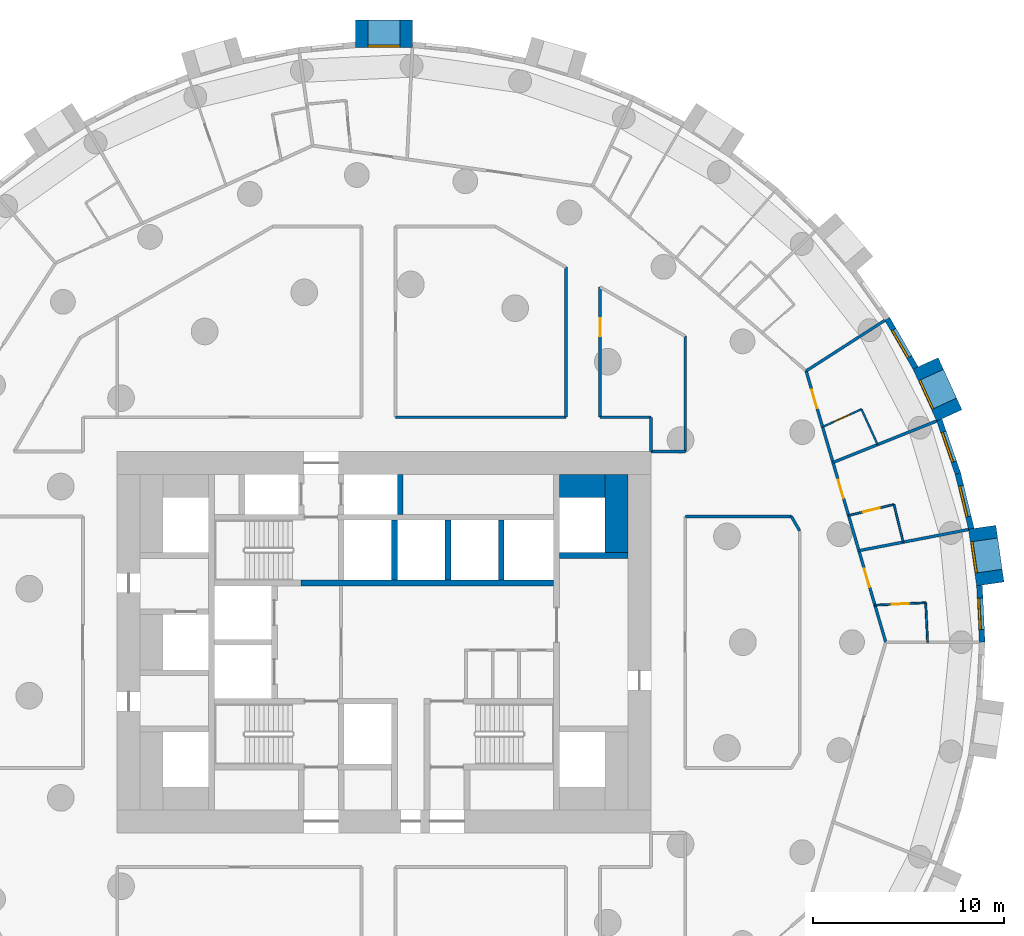
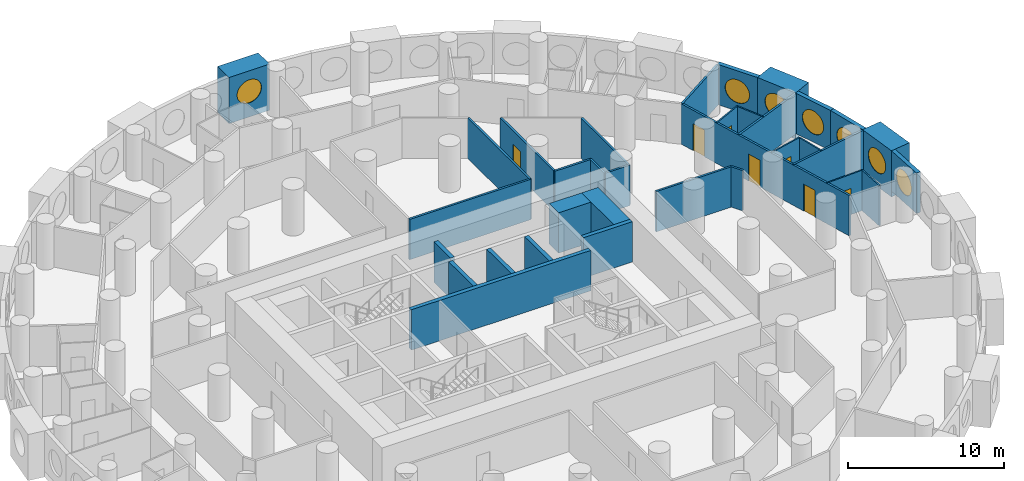
# One storey, part 9 of 12: 34 walls, 7 doors, 7 windows, 14 openings.
"""IFC4 building model written with IfcOpenShell, lengths in metres."""

from ifc_helpers import new_model, si_unit, direction, frame, frame_2d, origin, origin_2d, place, context, subcontext, project, spatial, rectangle, circle, extrude, material, layer, layer_set, type_object, element, fill, save


model = new_model("IFC4")

# Units and contexts
model_context = context("Model", 3, precision=1e-05, world=origin(), true_north=direction((0.0, 1.0)))
body_context = subcontext(model_context, "Body", "Model", "MODEL_VIEW")
ifc_project = project(units=[si_unit("LENGTHUNIT", "METRE"), si_unit("AREAUNIT", "SQUARE_METRE"), si_unit("VOLUMEUNIT", "CUBIC_METRE"), si_unit("PLANEANGLEUNIT", "RADIAN"), si_unit("MASSUNIT", "GRAM", prefix="KILO")], contexts=[model_context])

# Site, building, storey
site_placement = place(None, origin())
site = spatial("IfcSite", under=ifc_project, at=site_placement, CompositionType="ELEMENT")
building_placement = place(site_placement, origin())
building = spatial("IfcBuilding", under=site, at=building_placement, Name="Tracery Tower", CompositionType="ELEMENT")
storey_placement = place(building_placement, frame((0.0, 0.0, 103.800048828125)))
storey = spatial("IfcBuildingStorey", under=building, at=storey_placement, Name="L26", CompositionType="ELEMENT", Elevation=103.800048828125)

# Walls
ifc_material_1 = material(Name="Concrete C60/75", Category="concrete")
ifc_layer_1 = layer(ifc_material_1, 1.199951171875)
ifc_layer_set_1 = layer_set([ifc_layer_1], Name="Core strip wall 1200 C60")
wall_type_1 = type_object("IfcWallType", Name="Core strip wall 1200 C60", PredefinedType="SOLIDWALL", material=ifc_layer_set_1)
wall_1_placement = place(storey_placement, frame((12.199951171875, 4.699951171875, 0.0), z_axis=(0.0, 0.0, 1.0), x_axis=(0.0, 1.0, 0.0)))
element("IfcWall", 1, at=wall_1_placement, inside=storey, type_object=wall_type_1, Name="L26 wing strip +1 4.55", PredefinedType="SOLIDWALL", context=body_context, shape_type="SweptSolid", body=[
    extrude(rectangle(XDim=4.10009765625, YDim=1.199951171875, at=frame_2d((2.050048828125, 0.0))), origin(), (0.0, 0.0, 1.0), 3.14990234375),
])
wall_2_placement = place(storey_placement, frame((9.199951171875, 8.199951171875, 0.0), z_axis=(0.0, 0.0, 1.0), x_axis=(1.0, 0.0, 0.0)))
element("IfcWall", 2, at=wall_2_placement, inside=storey, type_object=wall_type_1, Name="L26 wing corner +1 +8.2", PredefinedType="SOLIDWALL", context=body_context, shape_type="SweptSolid", body=[
    extrude(rectangle(XDim=2.400146484375, YDim=1.199951171875, at=frame_2d((1.2001953125, 0.0))), origin(), (0.0, 0.0, 1.0), 3.14990234375),
])

# Wall, opening, window
ifc_material_2 = material(Name="Precast concrete C50/60", Category="concrete")
ifc_layer_2 = layer(ifc_material_2, 1.449951171875)
ifc_layer_set_2 = layer_set([ifc_layer_2], Name="Deep-set bay unit 3000 x 3600, slab edge 450")
wall_type_2 = type_object("IfcWallType", Name="Deep-set bay unit 3000 x 3600, slab edge 450", PredefinedType="ELEMENTEDWALL", material=ifc_layer_set_2)
wall_3_placement = place(storey_placement, frame((31.802490234375, 3.05712890625, -0.449951171875), z_axis=(0.0, 0.0, 1.0), x_axis=(-0.142332746704, 0.989818866872, 0.0)))
wall_3 = element("IfcWall", 3, at=wall_3_placement, inside=storey, type_object=wall_type_2, Name="Deep-set bay unit 2 at L26", PredefinedType="ELEMENTEDWALL", context=body_context, shape_type="SweptSolid", body=[
    extrude(rectangle(XDim=3.0, YDim=1.449951171875, at=frame_2d((1.5, 0.0))), origin(), (0.0, 0.0, 1.0), 3.599853515625),
])
opening_1_placement = place(wall_3_placement, frame((1.5, 0.0, 2.0)))
opening_1 = element("IfcOpeningElement", 4, at=opening_1_placement, cuts=wall_3, Name="Opening WN1", PredefinedType="OPENING", context=body_context, shape_type="SweptSolid", body=[
    extrude(circle(Radius=0.9000244140625, at=origin_2d()), frame((0.0, 0.73486328125, 0.0), z_axis=(0.0, -1.0, 0.0), x_axis=(1.0, 0.0, 0.0)), (0.0, 0.0, 1.0), 1.469970703125),
])
ifc_material_3 = material(Name="Aluminium frame with tinted double glazing", Category="aluminium")
window_type = type_object("IfcWindowType", Name="Round window 1800", PartitioningType="SINGLE_PANEL", PredefinedType="WINDOW", material=ifc_material_3)
window_1_placement = place(opening_1_placement, origin())
window_1 = element("IfcWindow", 5, at=window_1_placement, inside=storey, type_object=window_type, Name="Round window 2 at L26", OverallHeight=1.800048828125, OverallWidth=1.800048828125, PartitioningType="SINGLE_PANEL", PredefinedType="WINDOW", context=body_context, shape_type="SweptSolid", body=[
    extrude(circle(Radius=0.9000244140625, at=origin_2d()), frame((0.0, 0.69482421875, 0.0), z_axis=(0.0, -1.0, 0.0), x_axis=(1.0, 0.0, 0.0)), (0.0, 0.0, 1.0), 0.10009765625),
])
fill(opening_1, window_1)

wall_4_placement = place(storey_placement, frame((29.653076171875, 11.89306640625, -0.449951171875), z_axis=(0.0, 0.0, 1.0), x_axis=(-0.415427028395, 0.909626508012, 0.0)))
wall_4 = element("IfcWall", 6, at=wall_4_placement, inside=storey, type_object=wall_type_2, Name="Deep-set bay unit 5 at L26", PredefinedType="ELEMENTEDWALL", context=body_context, shape_type="SweptSolid", body=[
    extrude(rectangle(XDim=3.000244140625, YDim=1.449951171875, at=frame_2d((1.5, 0.0))), origin(), (0.0, 0.0, 1.0), 3.599853515625),
])
opening_2_placement = place(wall_4_placement, frame((1.5, 0.0, 2.0)))
opening_2 = element("IfcOpeningElement", 7, at=opening_2_placement, cuts=wall_4, Name="Opening WN1", PredefinedType="OPENING", context=body_context, shape_type="SweptSolid", body=[
    extrude(circle(Radius=0.9000244140625, at=origin_2d()), frame((0.0, 0.73486328125, 0.0), z_axis=(0.0, -1.0, 0.0), x_axis=(1.0, 0.0, 0.0)), (0.0, 0.0, 1.0), 1.469970703125),
])
window_2_placement = place(opening_2_placement, origin())
window_2 = element("IfcWindow", 8, at=window_2_placement, inside=storey, type_object=window_type, Name="Round window 5 at L26", OverallHeight=1.800048828125, OverallWidth=1.800048828125, PartitioningType="SINGLE_PANEL", PredefinedType="WINDOW", context=body_context, shape_type="SweptSolid", body=[
    extrude(circle(Radius=0.9000244140625, at=origin_2d()), frame((0.0, 0.69482421875, 0.0), z_axis=(0.0, -1.0, 0.0), x_axis=(1.0, 0.0, 0.0)), (0.0, 0.0, 1.0), 0.10009765625),
])
fill(opening_2, window_2)

wall_5_placement = place(storey_placement, frame((1.5, 31.913818359375, -0.449951171875), z_axis=(0.0, 0.0, 1.0), x_axis=(-1.0, 0.0, 0.0)))
wall_5 = element("IfcWall", 9, at=wall_5_placement, inside=storey, type_object=wall_type_2, Name="Deep-set bay unit 17 at L26", PredefinedType="ELEMENTEDWALL", context=body_context, shape_type="SweptSolid", body=[
    extrude(rectangle(XDim=3.0, YDim=1.449951171875, at=frame_2d((1.5, 0.0))), origin(), (0.0, 0.0, 1.0), 3.599853515625),
])
opening_3_placement = place(wall_5_placement, frame((1.5, 0.0, 2.0)))
opening_3 = element("IfcOpeningElement", 10, at=opening_3_placement, cuts=wall_5, Name="Opening WN1", PredefinedType="OPENING", context=body_context, shape_type="SweptSolid", body=[
    extrude(circle(Radius=0.9000244140625, at=origin_2d()), frame((0.0, 0.73486328125, 0.0), z_axis=(0.0, -1.0, 0.0), x_axis=(1.0, 0.0, 0.0)), (0.0, 0.0, 1.0), 1.469970703125),
])
window_3_placement = place(opening_3_placement, origin())
window_3 = element("IfcWindow", 11, at=window_3_placement, inside=storey, type_object=window_type, Name="Round window 17 at L26", OverallHeight=1.800048828125, OverallWidth=1.800048828125, PartitioningType="SINGLE_PANEL", PredefinedType="WINDOW", context=body_context, shape_type="SweptSolid", body=[
    extrude(circle(Radius=0.9000244140625, at=origin_2d()), frame((0.0, 0.69482421875, 0.0), z_axis=(0.0, -1.0, 0.0), x_axis=(1.0, 0.0, 0.0)), (0.0, 0.0, 1.0), 0.10009765625),
])
fill(opening_3, window_3)

ifc_material_4 = material(Name="Precast concrete C50/60", Category="concrete")
ifc_layer_3 = layer(ifc_material_4, 0.300048828125)
ifc_layer_set_3 = layer_set([ifc_layer_3], Name="Facade panel 3000 x 3150")
wall_type_3 = type_object("IfcWallType", Name="Facade panel 3000 x 3150", PredefinedType="SOLIDWALL", material=ifc_layer_set_3)
wall_6_placement = place(storey_placement, frame((31.37451171875, 0.0, 0.0), z_axis=(0.0, 0.0, 1.0), x_axis=(-0.047604077644, 0.998866283239, 0.0)))
wall_6 = element("IfcWall", 12, at=wall_6_placement, inside=storey, type_object=wall_type_3, Name="Facade panel 1 at L26", PredefinedType="SOLIDWALL", context=body_context, shape_type="SweptSolid", body=[
    extrude(rectangle(XDim=2.979736328125, YDim=0.300048828125, at=frame_2d((1.48974609375, 0.0))), origin(), (0.0, 0.0, 1.0), 3.14990234375),
])
opening_4_placement = place(wall_6_placement, frame((1.48974609375, 0.0, 1.5498046875)))
opening_4 = element("IfcOpeningElement", 13, at=opening_4_placement, cuts=wall_6, Name="Opening WN1", PredefinedType="OPENING", context=body_context, shape_type="SweptSolid", body=[
    extrude(circle(Radius=0.9000244140625, at=origin_2d()), frame((0.0, 0.159912109375, 0.0), z_axis=(0.0, -1.0, 0.0), x_axis=(1.0, 0.0, 0.0)), (0.0, 0.0, 1.0), 0.320068359375),
])
window_4_placement = place(opening_4_placement, origin())
window_4 = element("IfcWindow", 14, at=window_4_placement, inside=storey, type_object=window_type, Name="Round window 1 at L26", OverallHeight=1.800048828125, OverallWidth=1.800048828125, PartitioningType="SINGLE_PANEL", PredefinedType="WINDOW", context=body_context, shape_type="SweptSolid", body=[
    extrude(circle(Radius=0.9000244140625, at=origin_2d()), frame((0.0, 0.1201171875, 0.0), z_axis=(0.0, -1.0, 0.0), x_axis=(1.0, 0.0, 0.0)), (0.0, 0.0, 1.0), 0.10009765625),
])
fill(opening_4, window_4)

wall_7_placement = place(storey_placement, frame((30.805908203125, 5.943603515625, 0.0), z_axis=(0.0, 0.0, 1.0), x_axis=(-0.235743081534, 0.971815414319, 0.0)))
wall_7 = element("IfcWall", 15, at=wall_7_placement, inside=storey, type_object=wall_type_3, Name="Facade panel 3 at L26", PredefinedType="SOLIDWALL", context=body_context, shape_type="SweptSolid", body=[
    extrude(rectangle(XDim=2.9794921875, YDim=0.300048828125, at=frame_2d((1.48974609375, 0.0))), origin(), (0.0, 0.0, 1.0), 3.14990234375),
])
opening_5_placement = place(wall_7_placement, frame((1.48974609375, 0.0, 1.5498046875)))
opening_5 = element("IfcOpeningElement", 16, at=opening_5_placement, cuts=wall_7, Name="Opening WN1", PredefinedType="OPENING", context=body_context, shape_type="SweptSolid", body=[
    extrude(circle(Radius=0.9000244140625, at=origin_2d()), frame((0.0, 0.159912109375, 0.0), z_axis=(0.0, -1.0, 0.0), x_axis=(1.0, 0.0, 0.0)), (0.0, 0.0, 1.0), 0.320068359375),
])
window_5_placement = place(opening_5_placement, origin())
window_5 = element("IfcWindow", 17, at=window_5_placement, inside=storey, type_object=window_type, Name="Round window 3 at L26", OverallHeight=1.800048828125, OverallWidth=1.800048828125, PartitioningType="SINGLE_PANEL", PredefinedType="WINDOW", context=body_context, shape_type="SweptSolid", body=[
    extrude(circle(Radius=0.9000244140625, at=origin_2d()), frame((0.0, 0.1201171875, 0.0), z_axis=(0.0, -1.0, 0.0), x_axis=(1.0, 0.0, 0.0)), (0.0, 0.0, 1.0), 0.10009765625),
])
fill(opening_5, window_5)

wall_8_placement = place(storey_placement, frame((30.103515625, 8.839111328125, 0.0), z_axis=(0.0, 0.0, 1.0), x_axis=(-0.327071167136, 0.944999709856, 0.0)))
wall_8 = element("IfcWall", 18, at=wall_8_placement, inside=storey, type_object=wall_type_3, Name="Facade panel 4 at L26", PredefinedType="SOLIDWALL", context=body_context, shape_type="SweptSolid", body=[
    extrude(rectangle(XDim=2.979736328125, YDim=0.300048828125, at=frame_2d((1.48974609375, 0.0))), origin(), (0.0, 0.0, 1.0), 3.14990234375),
])
opening_6_placement = place(wall_8_placement, frame((1.48974609375, 0.0, 1.5498046875)))
opening_6 = element("IfcOpeningElement", 19, at=opening_6_placement, cuts=wall_8, Name="Opening WN1", PredefinedType="OPENING", context=body_context, shape_type="SweptSolid", body=[
    extrude(circle(Radius=0.9000244140625, at=origin_2d()), frame((0.0, 0.159912109375, 0.0), z_axis=(0.0, -1.0, 0.0), x_axis=(1.0, 0.0, 0.0)), (0.0, 0.0, 1.0), 0.320068359375),
])
window_6_placement = place(opening_6_placement, origin())
window_6 = element("IfcWindow", 20, at=window_6_placement, inside=storey, type_object=window_type, Name="Round window 4 at L26", OverallHeight=1.800048828125, OverallWidth=1.800048828125, PartitioningType="SINGLE_PANEL", PredefinedType="WINDOW", context=body_context, shape_type="SweptSolid", body=[
    extrude(circle(Radius=0.9000244140625, at=origin_2d()), frame((0.0, 0.1201171875, 0.0), z_axis=(0.0, -1.0, 0.0), x_axis=(1.0, 0.0, 0.0)), (0.0, 0.0, 1.0), 0.10009765625),
])
fill(opening_6, window_6)

wall_9_placement = place(storey_placement, frame((27.8837890625, 14.3818359375, 0.0), z_axis=(0.0, 0.0, 1.0), x_axis=(-0.500025049464, 0.866010940986, 0.0)))
wall_9 = element("IfcWall", 21, at=wall_9_placement, inside=storey, type_object=wall_type_3, Name="Facade panel 6 at L26", PredefinedType="SOLIDWALL", context=body_context, shape_type="SweptSolid", body=[
    extrude(rectangle(XDim=2.979736328125, YDim=0.300048828125, at=frame_2d((1.48974609375, 0.0))), origin(), (0.0, 0.0, 1.0), 3.14990234375),
])
opening_7_placement = place(wall_9_placement, frame((1.48974609375, 0.0, 1.5498046875)))
opening_7 = element("IfcOpeningElement", 22, at=opening_7_placement, cuts=wall_9, Name="Opening WN1", PredefinedType="OPENING", context=body_context, shape_type="SweptSolid", body=[
    extrude(circle(Radius=0.9000244140625, at=origin_2d()), frame((0.0, 0.159912109375, 0.0), z_axis=(0.0, -1.0, 0.0), x_axis=(1.0, 0.0, 0.0)), (0.0, 0.0, 1.0), 0.320068359375),
])
window_7_placement = place(opening_7_placement, origin())
window_7 = element("IfcWindow", 23, at=window_7_placement, inside=storey, type_object=window_type, Name="Round window 6 at L26", OverallHeight=1.800048828125, OverallWidth=1.800048828125, PartitioningType="SINGLE_PANEL", PredefinedType="WINDOW", context=body_context, shape_type="SweptSolid", body=[
    extrude(circle(Radius=0.9000244140625, at=origin_2d()), frame((0.0, 0.1201171875, 0.0), z_axis=(0.0, -1.0, 0.0), x_axis=(1.0, 0.0, 0.0)), (0.0, 0.0, 1.0), 0.10009765625),
])
fill(opening_7, window_7)

# Wall
ifc_material_5 = material(Name="Plasterboard on steel studs", Category="steel")
ifc_layer_4 = layer(ifc_material_5, 0.10009765625)
ifc_layer_set_4 = layer_set([ifc_layer_4], Name="Partition 100 wet wall")
wall_type_4 = type_object("IfcWallType", Name="Partition 100 wet wall", PredefinedType="PARTITIONING", material=ifc_layer_set_4)
wall_10_placement = place(storey_placement, frame((28.412109375, 2.069091796875, 0.0), z_axis=(0.0, 0.0, 1.0), x_axis=(0.047733138673, -0.998860124078, 0.0)))
element("IfcWall", 24, at=wall_10_placement, inside=storey, type_object=wall_type_4, Name="Wet wall RA8-060", PredefinedType="PARTITIONING", context=body_context, shape_type="SweptSolid", body=[
    extrude(rectangle(XDim=2.071533203125, YDim=0.10009765625, at=frame_2d((1.03564453125, 0.0))), origin(), (0.0, 0.0, 1.0), 3.14990234375),
])

# Wall, opening, door
wall_11_placement = place(storey_placement, frame((25.7490234375, 1.94189453125, 0.0), z_axis=(0.0, 0.0, 1.0), x_axis=(0.998861290624, 0.047708721344, 0.0)))
wall_11 = element("IfcWall", 25, at=wall_11_placement, inside=storey, type_object=wall_type_4, Name="Wet wall RA8-061", PredefinedType="PARTITIONING", context=body_context, shape_type="SweptSolid", body=[
    extrude(rectangle(XDim=2.666015625, YDim=0.10009765625, at=frame_2d((1.3330078125, 0.0))), origin(), (0.0, 0.0, 1.0), 3.14990234375),
])
opening_8_placement = place(wall_11_placement, frame((0.883056640625, 0.0, 0.0)))
opening_8 = element("IfcOpeningElement", 26, at=opening_8_placement, cuts=wall_11, Name="Opening RA8-10", PredefinedType="OPENING", context=body_context, shape_type="SweptSolid", body=[
    extrude(rectangle(XDim=0.89990234375, YDim=2.0400390625, at=frame_2d((0.449951171875, 1.02001953125))), frame((0.0, 0.050048828125, 0.0), z_axis=(0.0, -1.0, 0.0), x_axis=(1.0, 0.0, 0.0)), (0.0, 0.0, 1.0), 0.10009765625),
])
ifc_material_6 = material(Name="Timber door leaf", Category="wood")
door_type_1 = type_object("IfcDoorType", Name="Door en-suite 900", OperationType="NOTDEFINED", PredefinedType="DOOR", material=ifc_material_6)
door_1_placement = place(opening_8_placement, origin())
door_1 = element("IfcDoor", 27, at=door_1_placement, inside=storey, type_object=door_type_1, Name="En-suite door RA8-10", OperationType="SINGLE_SWING_LEFT", OverallHeight=2.0400390625, OverallWidth=0.89990234375, PredefinedType="DOOR", context=body_context, shape_type="SweptSolid", body=[
    extrude(rectangle(XDim=0.89990234375, YDim=2.0400390625, at=frame_2d((0.449951171875, 1.02001953125))), frame((0.0, 0.02490234375, 0.0), z_axis=(0.0, -1.0, 0.0), x_axis=(1.0, 0.0, 0.0)), (0.0, 0.0, 1.0), 0.050048828125),
])
fill(opening_8, door_1)

# Wall
wall_12_placement = place(storey_placement, frame((26.75, 7.22509765625, 0.0), z_axis=(0.0, 0.0, 1.0), x_axis=(0.23592286129, -0.97177178572, 0.0)))
element("IfcWall", 28, at=wall_12_placement, inside=storey, type_object=wall_type_4, Name="Wet wall RA8-064", PredefinedType="PARTITIONING", context=body_context, shape_type="SweptSolid", body=[
    extrude(rectangle(XDim=2.034423828125, YDim=0.10009765625, at=frame_2d((1.01708984375, 0.0))), origin(), (0.0, 0.0, 1.0), 3.14990234375),
])

# Wall, opening, door
wall_13_placement = place(storey_placement, frame((24.366943359375, 6.64599609375, 0.0), z_axis=(0.0, 0.0, 1.0), x_axis=(0.971720101056, 0.236135650006, 0.0)))
wall_13 = element("IfcWall", 29, at=wall_13_placement, inside=storey, type_object=wall_type_4, Name="Wet wall RA8-065", PredefinedType="PARTITIONING", context=body_context, shape_type="SweptSolid", body=[
    extrude(rectangle(XDim=2.452392578125, YDim=0.10009765625, at=frame_2d((1.22607421875, 0.0))), origin(), (0.0, 0.0, 1.0), 3.14990234375),
])
opening_9_placement = place(wall_13_placement, frame((0.7763671875, 0.0, 0.0)))
opening_9 = element("IfcOpeningElement", 30, at=opening_9_placement, cuts=wall_13, Name="Opening RA8-12", PredefinedType="OPENING", context=body_context, shape_type="SweptSolid", body=[
    extrude(rectangle(XDim=0.89990234375, YDim=2.0400390625, at=frame_2d((0.449951171875, 1.02001953125))), frame((0.0, 0.050048828125, 0.0), z_axis=(0.0, -1.0, 0.0), x_axis=(1.0, 0.0, 0.0)), (0.0, 0.0, 1.0), 0.10009765625),
])
door_2_placement = place(opening_9_placement, origin())
door_2 = element("IfcDoor", 31, at=door_2_placement, inside=storey, type_object=door_type_1, Name="En-suite door RA8-12", OperationType="SINGLE_SWING_LEFT", OverallHeight=2.0400390625, OverallWidth=0.89990234375, PredefinedType="DOOR", context=body_context, shape_type="SweptSolid", body=[
    extrude(rectangle(XDim=0.89990234375, YDim=2.0400390625, at=frame_2d((0.449951171875, 1.02001953125))), frame((0.0, 0.02490234375, 0.0), z_axis=(0.0, -1.0, 0.0), x_axis=(1.0, 0.0, 0.0)), (0.0, 0.0, 1.0), 0.050048828125),
])
fill(opening_9, door_2)

# Wall
wall_14_placement = place(storey_placement, frame((25.04296875, 12.221923828125, 0.0), z_axis=(0.0, 0.0, 1.0), x_axis=(0.41546015385, -0.909611378866, 0.0)))
element("IfcWall", 32, at=wall_14_placement, inside=storey, type_object=wall_type_4, Name="Wet wall RA8-067", PredefinedType="PARTITIONING", context=body_context, shape_type="SweptSolid", body=[
    extrude(rectangle(XDim=2.04150390625, YDim=0.10009765625, at=frame_2d((1.020751953125, 0.0))), origin(), (0.0, 0.0, 1.0), 3.14990234375),
])

# Wall, opening, door
wall_15_placement = place(storey_placement, frame((23.0029296875, 11.291015625, 0.0), z_axis=(0.0, 0.0, 1.0), x_axis=(0.90975773562, 0.41513956988, 0.0)))
wall_15 = element("IfcWall", 33, at=wall_15_placement, inside=storey, type_object=wall_type_4, Name="Wet wall RA8-068", PredefinedType="PARTITIONING", context=body_context, shape_type="SweptSolid", body=[
    extrude(rectangle(XDim=2.242431640625, YDim=0.10009765625, at=frame_2d((1.12109375, 0.0))), origin(), (0.0, 0.0, 1.0), 3.14990234375),
])
opening_10_placement = place(wall_15_placement, frame((0.67138671875, 0.0, 0.0)))
opening_10 = element("IfcOpeningElement", 34, at=opening_10_placement, cuts=wall_15, Name="Opening RA8-14", PredefinedType="OPENING", context=body_context, shape_type="SweptSolid", body=[
    extrude(rectangle(XDim=0.89990234375, YDim=2.0400390625, at=frame_2d((0.449951171875, 1.02001953125))), frame((0.0, 0.050048828125, 0.0), z_axis=(0.0, -1.0, 0.0), x_axis=(1.0, 0.0, 0.0)), (0.0, 0.0, 1.0), 0.10009765625),
])
door_3_placement = place(opening_10_placement, origin())
door_3 = element("IfcDoor", 35, at=door_3_placement, inside=storey, type_object=door_type_1, Name="En-suite door RA8-14", OperationType="SINGLE_SWING_LEFT", OverallHeight=2.0400390625, OverallWidth=0.89990234375, PredefinedType="DOOR", context=body_context, shape_type="SweptSolid", body=[
    extrude(rectangle(XDim=0.89990234375, YDim=2.0400390625, at=frame_2d((0.449951171875, 1.02001953125))), frame((0.0, 0.02490234375, 0.0), z_axis=(0.0, -1.0, 0.0), x_axis=(1.0, 0.0, 0.0)), (0.0, 0.0, 1.0), 0.050048828125),
])
fill(opening_10, door_3)

# Walls
ifc_material_7 = material(Name="Plasterboard on steel studs", Category="steel")
ifc_layer_5 = layer(ifc_material_7, 0.14990234375)
ifc_layer_set_5 = layer_set([ifc_layer_5], Name="Partition 150 acoustic unit wall")
wall_type_5 = type_object("IfcWallType", Name="Partition 150 acoustic unit wall", PredefinedType="PARTITIONING", material=ifc_layer_set_5)
wall_16_placement = place(storey_placement, frame((24.9091796875, 4.800048828125, 0.0), z_axis=(0.0, 0.0, 1.0), x_axis=(0.981912070464, 0.189337492, 0.0)))
element("IfcWall", 36, at=wall_16_placement, inside=storey, type_object=wall_type_5, Name="Unit wall RA8-062", PredefinedType="PARTITIONING", context=body_context, shape_type="SweptSolid", body=[
    extrude(rectangle(XDim=5.856689453125, YDim=0.14990234375, at=frame_2d((2.92822265625, 0.0))), origin(), (0.0, 0.0, 1.0), 3.14990234375),
])
wall_17_placement = place(storey_placement, frame((23.550048828125, 9.427978515625, 0.0), z_axis=(0.0, 0.0, 1.0), x_axis=(0.9283702981, 0.371656547911, 0.0)))
element("IfcWall", 37, at=wall_17_placement, inside=storey, type_object=wall_type_5, Name="Unit wall RA8-066", PredefinedType="PARTITIONING", context=body_context, shape_type="SweptSolid", body=[
    extrude(rectangle(XDim=5.857666015625, YDim=0.14990234375, at=frame_2d((2.9287109375, 0.0))), origin(), (0.0, 0.0, 1.0), 3.14990234375),
])
wall_18_placement = place(storey_placement, frame((22.14111328125, 14.22900390625, 0.0), z_axis=(0.0, 0.0, 1.0), x_axis=(0.841265781699, 0.540621757371, 0.0)))
element("IfcWall", 38, at=wall_18_placement, inside=storey, type_object=wall_type_5, Name="Unit wall RA8-069", PredefinedType="PARTITIONING", context=body_context, shape_type="SweptSolid", body=[
    extrude(rectangle(XDim=4.90576171875, YDim=0.14990234375, at=frame_2d((2.452880859375, 0.0))), origin(), (0.0, 0.0, 1.0), 3.14990234375),
])
ifc_material_8 = material(Name="Plasterboard on steel studs", Category="steel")
ifc_layer_6 = layer(ifc_material_8, 0.14990234375)
ifc_layer_set_6 = layer_set([ifc_layer_6], Name="Partition 150 corridor wall")
wall_type_6 = type_object("IfcWallType", Name="Partition 150 corridor wall", PredefinedType="PARTITIONING", material=ifc_layer_set_6)
wall_19_placement = place(storey_placement, frame((0.60400390625, 11.800048828125, 0.0), z_axis=(0.0, 0.0, 1.0), x_axis=(1.0, 0.0, 0.0)))
element("IfcWall", 39, at=wall_19_placement, inside=storey, type_object=wall_type_6, Name="Corridor wall RA8-002", PredefinedType="PARTITIONING", context=body_context, shape_type="SweptSolid", body=[
    extrude(rectangle(XDim=8.93603515625, YDim=0.14990234375, at=frame_2d((4.468017578125, 0.0))), origin(), (0.0, 0.0, 1.0), 3.14990234375),
])
wall_20_placement = place(storey_placement, frame((11.33203125, 11.800048828125, 0.0), z_axis=(0.0, 0.0, 1.0), x_axis=(1.0, 0.0, 0.0)))
element("IfcWall", 40, at=wall_20_placement, inside=storey, type_object=wall_type_6, Name="Corridor wall RA8-003", PredefinedType="PARTITIONING", context=body_context, shape_type="SweptSolid", body=[
    extrude(rectangle(XDim=2.66796875, YDim=0.14990234375, at=frame_2d((1.333984375, 0.0))), origin(), (0.0, 0.0, 1.0), 3.14990234375),
])
for number, where, z_axis, x_axis, name in (
    (41, (14.0, 10.0, 0.0), (0.0, 0.0, 1.0), (0.0, 1.0, 0.0), "Corridor wall RA8-004"),
    (42, (14.0, 10.0, 0.0), (0.0, 0.0, 1.0), (1.0, 0.0, 0.0), "Corridor wall RA8-010"),
):
    element("IfcWall", number, at=place(storey_placement, frame(where, z_axis=z_axis, x_axis=x_axis)), inside=storey, type_object=wall_type_6, Name=name, PredefinedType="PARTITIONING", context=body_context, shape_type="SweptSolid", body=[
        extrude(rectangle(XDim=1.800048828125, YDim=0.14990234375, at=frame_2d((0.89990234375, 0.0))), origin(), (0.0, 0.0, 1.0), 3.14990234375),
    ])
wall_21_placement = place(storey_placement, frame((15.800048828125, 9.99609375, 0.0), z_axis=(0.0, 0.0, 1.0), x_axis=(0.0, 1.0, 0.0)))
element("IfcWall", 43, at=wall_21_placement, inside=storey, type_object=wall_type_6, Name="Corridor wall RA8-014", PredefinedType="PARTITIONING", context=body_context, shape_type="SweptSolid", body=[
    extrude(rectangle(XDim=6.056884765625, YDim=0.14990234375, at=frame_2d((3.0283203125, 0.0))), origin(), (0.0, 0.0, 1.0), 3.14990234375),
])
wall_22_placement = place(storey_placement, frame((21.364013671875, 6.60009765625, 0.0), z_axis=(0.0, 0.0, 1.0), x_axis=(0.500277597875, -0.865865073245, 0.0)))
element("IfcWall", 44, at=wall_22_placement, inside=storey, type_object=wall_type_6, Name="Corridor wall RA8-019", PredefinedType="PARTITIONING", context=body_context, shape_type="SweptSolid", body=[
    extrude(rectangle(XDim=0.87548828125, YDim=0.14990234375, at=frame_2d((0.437744140625, 0.0))), origin(), (0.0, 0.0, 1.0), 3.14990234375),
])
wall_23_placement = place(storey_placement, frame((15.800048828125, 6.60009765625, 0.0), z_axis=(0.0, 0.0, 1.0), x_axis=(1.0, 0.0, 0.0)))
element("IfcWall", 45, at=wall_23_placement, inside=storey, type_object=wall_type_6, Name="Corridor wall RA8-020", PredefinedType="PARTITIONING", context=body_context, shape_type="SweptSolid", body=[
    extrude(rectangle(XDim=5.56396484375, YDim=0.14990234375, at=frame_2d((2.781982421875, 0.0))), origin(), (0.0, 0.0, 1.0), 3.14990234375),
])

# Wall, openings, doors
wall_24_placement = place(storey_placement, frame((22.140380859375, 14.228759765625, 0.0), z_axis=(0.0, 0.0, 1.0), x_axis=(0.281780364869, -0.959478934617, 0.0)))
wall_24 = element("IfcWall", 46, at=wall_24_placement, inside=storey, type_object=wall_type_6, Name="Corridor wall RA8-021", PredefinedType="PARTITIONING", context=body_context, shape_type="SweptSolid", body=[
    extrude(rectangle(XDim=14.82958984375, YDim=0.14990234375, at=frame_2d((7.414794921875, 0.0))), origin(), (0.0, 0.0, 1.0), 3.14990234375),
])
opening_11_placement = place(wall_24_placement, frame((10.81591796875, 0.0, 0.0)))
opening_11 = element("IfcOpeningElement", 47, at=opening_11_placement, cuts=wall_24, Name="Opening RA8-11", PredefinedType="OPENING", context=body_context, shape_type="SweptSolid", body=[
    extrude(rectangle(XDim=1.0, YDim=2.10009765625, at=frame_2d((0.5, 1.050048828125))), frame((0.0, 0.074951171875, 0.0), z_axis=(0.0, -1.0, 0.0), x_axis=(1.0, 0.0, 0.0)), (0.0, 0.0, 1.0), 0.14990234375),
])
opening_12_placement = place(wall_24_placement, frame((5.953369140625, 0.0, 0.0)))
opening_12 = element("IfcOpeningElement", 48, at=opening_12_placement, cuts=wall_24, Name="Opening RA8-13", PredefinedType="OPENING", context=body_context, shape_type="SweptSolid", body=[
    extrude(rectangle(XDim=1.0, YDim=2.10009765625, at=frame_2d((0.5, 1.050048828125))), frame((0.0, 0.074951171875, 0.0), z_axis=(0.0, -1.0, 0.0), x_axis=(1.0, 0.0, 0.0)), (0.0, 0.0, 1.0), 0.14990234375),
])
opening_13_placement = place(wall_24_placement, frame((1.032958984375, 0.0, 0.0)))
opening_13 = element("IfcOpeningElement", 49, at=opening_13_placement, cuts=wall_24, Name="Opening RA8-15", PredefinedType="OPENING", context=body_context, shape_type="SweptSolid", body=[
    extrude(rectangle(XDim=1.0, YDim=2.10009765625, at=frame_2d((0.5, 1.050048828125))), frame((0.0, 0.074951171875, 0.0), z_axis=(0.0, -1.0, 0.0), x_axis=(1.0, 0.0, 0.0)), (0.0, 0.0, 1.0), 0.14990234375),
])
ifc_material_9 = material(Name="Timber door leaf", Category="wood")
door_type_2 = type_object("IfcDoorType", Name="Door unit entrance 1000", OperationType="NOTDEFINED", PredefinedType="DOOR", material=ifc_material_9)
door_4_placement = place(opening_11_placement, origin())
door_4 = element("IfcDoor", 50, at=door_4_placement, inside=storey, type_object=door_type_2, Name="Unit entrance door RA8-11", OperationType="SINGLE_SWING_LEFT", OverallHeight=2.10009765625, OverallWidth=1.0, PredefinedType="DOOR", context=body_context, shape_type="SweptSolid", body=[
    extrude(rectangle(XDim=1.0, YDim=2.10009765625, at=frame_2d((0.5, 1.050048828125))), frame((0.0, 0.02490234375, 0.0), z_axis=(0.0, -1.0, 0.0), x_axis=(1.0, 0.0, 0.0)), (0.0, 0.0, 1.0), 0.050048828125),
])
fill(opening_11, door_4)
door_5_placement = place(opening_12_placement, origin())
door_5 = element("IfcDoor", 51, at=door_5_placement, inside=storey, type_object=door_type_2, Name="Unit entrance door RA8-13", OperationType="SINGLE_SWING_LEFT", OverallHeight=2.10009765625, OverallWidth=1.0, PredefinedType="DOOR", context=body_context, shape_type="SweptSolid", body=[
    extrude(rectangle(XDim=1.0, YDim=2.10009765625, at=frame_2d((0.5, 1.050048828125))), frame((0.0, 0.02490234375, 0.0), z_axis=(0.0, -1.0, 0.0), x_axis=(1.0, 0.0, 0.0)), (0.0, 0.0, 1.0), 0.050048828125),
])
fill(opening_12, door_5)
door_6_placement = place(opening_13_placement, origin())
door_6 = element("IfcDoor", 52, at=door_6_placement, inside=storey, type_object=door_type_2, Name="Unit entrance door RA8-15", OperationType="SINGLE_SWING_LEFT", OverallHeight=2.10009765625, OverallWidth=1.0, PredefinedType="DOOR", context=body_context, shape_type="SweptSolid", body=[
    extrude(rectangle(XDim=1.0, YDim=2.10009765625, at=frame_2d((0.5, 1.050048828125))), frame((0.0, 0.02490234375, 0.0), z_axis=(0.0, -1.0, 0.0), x_axis=(1.0, 0.0, 0.0)), (0.0, 0.0, 1.0), 0.050048828125),
])
fill(opening_13, door_6)

# Wall
wall_25_placement = place(storey_placement, frame((9.535888671875, 11.800048828125, 0.0), z_axis=(0.0, 0.0, 1.0), x_axis=(0.0, 1.0, 0.0)))
element("IfcWall", 53, at=wall_25_placement, inside=storey, type_object=wall_type_6, Name="Corridor wall RA8-028", PredefinedType="PARTITIONING", context=body_context, shape_type="SweptSolid", body=[
    extrude(rectangle(XDim=7.868896484375, YDim=0.14990234375, at=frame_2d((3.9345703125, 0.0))), origin(), (0.0, 0.0, 1.0), 3.14990234375),
])

# Wall, opening, door
wall_26_placement = place(storey_placement, frame((11.3359375, 11.800048828125, 0.0), z_axis=(0.0, 0.0, 1.0), x_axis=(0.0, 1.0, 0.0)))
wall_26 = element("IfcWall", 54, at=wall_26_placement, inside=storey, type_object=wall_type_6, Name="Corridor wall RA8-033", PredefinedType="PARTITIONING", context=body_context, shape_type="SweptSolid", body=[
    extrude(rectangle(XDim=6.829833984375, YDim=0.14990234375, at=frame_2d((3.4150390625, 0.0))), origin(), (0.0, 0.0, 1.0), 3.14990234375),
])
opening_14_placement = place(wall_26_placement, frame((4.239990234375, 0.0, 0.0)))
opening_14 = element("IfcOpeningElement", 55, at=opening_14_placement, cuts=wall_26, Name="Opening RA8-03", PredefinedType="OPENING", context=body_context, shape_type="SweptSolid", body=[
    extrude(rectangle(XDim=0.949951171875, YDim=2.10009765625, at=frame_2d((0.47509765625, 1.050048828125))), frame((0.0, 0.074951171875, 0.0), z_axis=(0.0, -1.0, 0.0), x_axis=(1.0, 0.0, 0.0)), (0.0, 0.0, 1.0), 0.14990234375),
])
ifc_material_10 = material(Name="Timber door leaf", Category="wood")
door_type_3 = type_object("IfcDoorType", Name="Door store 950", OperationType="NOTDEFINED", PredefinedType="DOOR", material=ifc_material_10)
door_7_placement = place(opening_14_placement, origin())
door_7 = element("IfcDoor", 56, at=door_7_placement, inside=storey, type_object=door_type_3, Name="Store door RA8-03", OperationType="SINGLE_SWING_LEFT", OverallHeight=2.10009765625, OverallWidth=0.949951171875, PredefinedType="DOOR", context=body_context, shape_type="SweptSolid", body=[
    extrude(rectangle(XDim=0.949951171875, YDim=2.10009765625, at=frame_2d((0.47509765625, 1.050048828125))), frame((0.0, 0.02490234375, 0.0), z_axis=(0.0, -1.0, 0.0), x_axis=(1.0, 0.0, 0.0)), (0.0, 0.0, 1.0), 0.050048828125),
])
fill(opening_14, door_7)

# Walls
ifc_material_11 = material(Name="Concrete C60/75", Category="concrete")
ifc_layer_7 = layer(ifc_material_11, 0.300048828125)
ifc_layer_set_7 = layer_set([ifc_layer_7], Name="Shaft wall 300 C60")
wall_type_7 = type_object("IfcWallType", Name="Shaft wall 300 C60", PredefinedType="SOLIDWALL", material=ifc_layer_set_7)
for number, where, z_axis, x_axis, name in (
    (57, (0.550048828125, 3.25, 0.0), (0.0, 0.0, 1.0), (0.0, 1.0, 0.0), "L26 HR sep 1"),
    (58, (3.35009765625, 3.25, 0.0), (0.0, 0.0, 1.0), (0.0, 1.0, 0.0), "L26 HR sep 2"),
    (59, (6.14990234375, 3.25, 0.0), (0.0, 0.0, 1.0), (0.0, 1.0, 0.0), "L26 HR sep 3"),
):
    element("IfcWall", number, at=place(storey_placement, frame(where, z_axis=z_axis, x_axis=x_axis)), inside=storey, type_object=wall_type_7, Name=name, PredefinedType="SOLIDWALL", context=body_context, shape_type="SweptSolid", body=[
        extrude(rectangle(XDim=3.14990234375, YDim=0.300048828125, at=frame_2d((1.574951171875, 0.0))), origin(), (0.0, 0.0, 1.0), 3.14990234375),
    ])
wall_27_placement = place(storey_placement, frame((0.85009765625, 6.699951171875, 0.0), z_axis=(0.0, 0.0, 1.0), x_axis=(0.0, 1.0, 0.0)))
element("IfcWall", 60, at=wall_27_placement, inside=storey, type_object=wall_type_7, Name="L26 LR sep 0.85", PredefinedType="SOLIDWALL", context=body_context, shape_type="SweptSolid", body=[
    extrude(rectangle(XDim=2.10009765625, YDim=0.300048828125, at=frame_2d((1.050048828125, 0.0))), origin(), (0.0, 0.0, 1.0), 3.14990234375),
])
wall_28_placement = place(storey_placement, frame((9.199951171875, 4.550048828125, 0.0), z_axis=(0.0, 0.0, 1.0), x_axis=(1.0, 0.0, 0.0)))
element("IfcWall", 61, at=wall_28_placement, inside=storey, type_object=wall_type_7, Name="L26 wing shaft wall +1 +4.55", PredefinedType="SOLIDWALL", context=body_context, shape_type="SweptSolid", body=[
    extrude(rectangle(XDim=3.60009765625, YDim=0.300048828125, at=frame_2d((1.800048828125, 0.0))), origin(), (0.0, 0.0, 1.0), 3.14990234375),
])
ifc_material_12 = material(Name="Concrete C60/75", Category="concrete")
ifc_layer_8 = layer(ifc_material_12, 0.300048828125)
ifc_layer_set_8 = layer_set([ifc_layer_8], Name="Stair wall 300 C60")
wall_type_8 = type_object("IfcWallType", Name="Stair wall 300 C60", PredefinedType="SOLIDWALL", material=ifc_layer_set_8)
wall_29_placement = place(storey_placement, frame((-4.35009765625, 3.10009765625, 0.0), z_axis=(0.0, 0.0, 1.0), x_axis=(1.0, 0.0, 0.0)))
element("IfcWall", 62, at=wall_29_placement, inside=storey, type_object=wall_type_8, Name="L26 row N", PredefinedType="SOLIDWALL", context=body_context, shape_type="SweptSolid", body=[
    extrude(rectangle(XDim=13.25, YDim=0.300048828125, at=frame_2d((6.625, 0.0))), origin(), (0.0, 0.0, 1.0), 3.14990234375),
])

save(model, "model.ifc")
